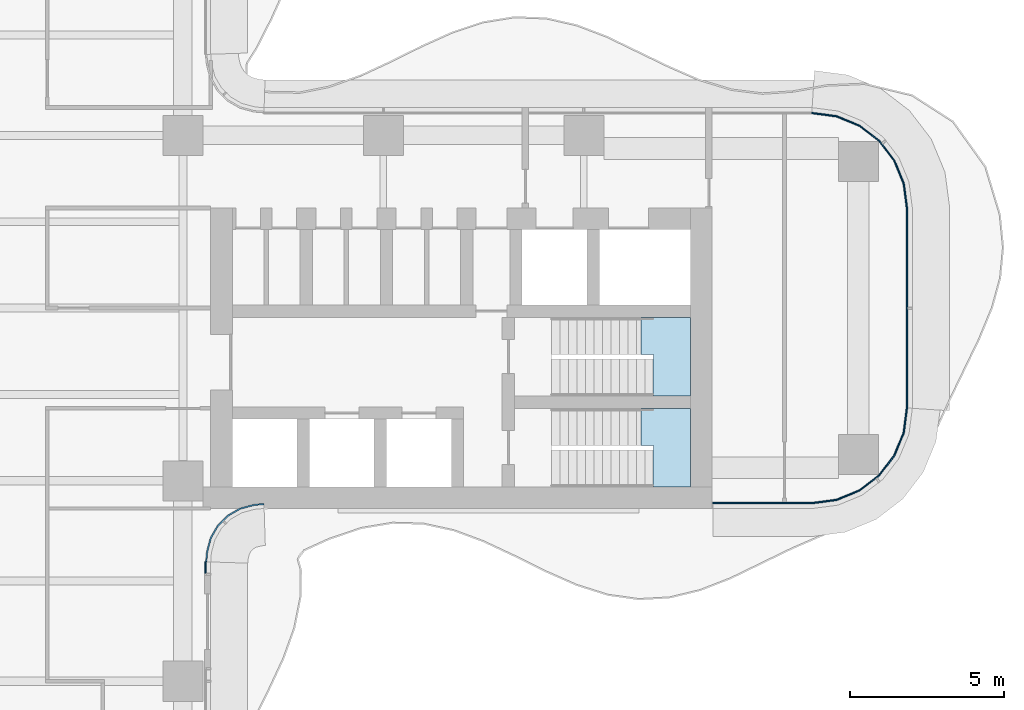
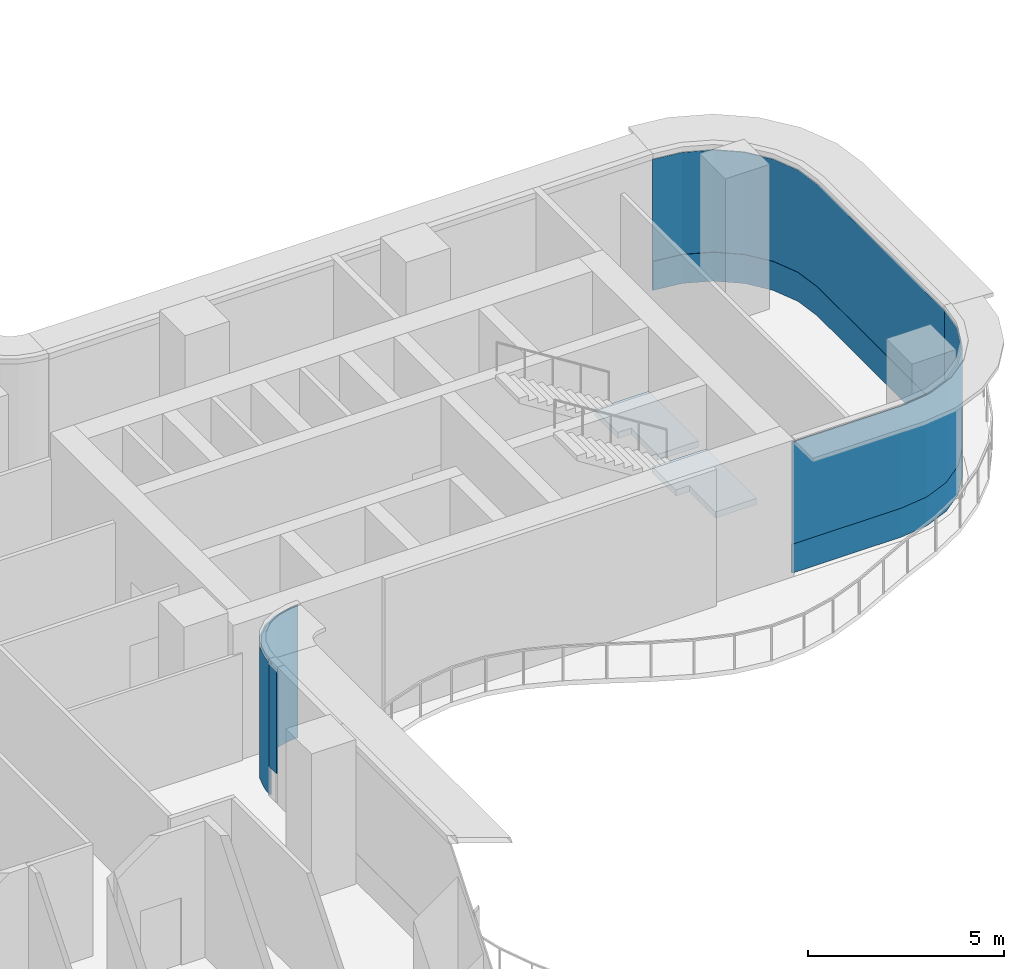
# One storey, part 15 of 23: 6 plates, 2 slabs, 6 elements without a shape of their own.
"""IFC4 building model written with IfcOpenShell, lengths in metres."""

import ifcopenshell
import ifcopenshell.guid

model = None  # the IFC model being written
_history = None  # IfcOwnerHistory: only IFC2X3 demands one
_inside = {}  # id of a spatial element -> (the spatial element, [elements in it])
_under = {}  # id of a project, library or spatial element -> (it, [spatial elements below it])
_declared = {}  # id of a project -> (the project, [libraries it declares])
_typed = {}  # id of a type object -> (the type object, [elements of that type])
_made_of = {}  # id of a material, layer set ... -> (it, [elements and type objects made of it])


def new_model(schema):
    """Start an empty IFC model of exactly this schema.

    Asked for "IFC4X3", IfcOpenShell would pick the latest addendum, in which some entities
    have other attributes; the version numbers below select the first issue.
    IFC2X3 requires an IfcOwnerHistory on every rooted entity: one is made here for all.
    """
    global model, _history
    if schema == "IFC4X3":
        model = ifcopenshell.file(schema_version=(4, 3, 0, 0))
    else:
        model = ifcopenshell.file(schema=schema)
    _inside.clear()
    _under.clear()
    _declared.clear()
    _typed.clear()
    _made_of.clear()
    _history = None
    if model.schema == "IFC2X3":
        org = make("IfcOrganization", Name="unknown")
        user = make(
            "IfcPersonAndOrganization",
            ThePerson=make("IfcPerson", FamilyName="unknown"),
            TheOrganization=org,
        )
        app = make(
            "IfcApplication",
            ApplicationDeveloper=org,
            Version="unknown",
            ApplicationFullName="unknown",
            ApplicationIdentifier="unknown",
        )
        _history = make(
            "IfcOwnerHistory",
            OwningUser=user,
            OwningApplication=app,
            ChangeAction="ADDED",
            CreationDate=0,
        )
    return model


def make(cls, **values):
    """One entity of the class cls with the attributes given. An attribute that is None is left unset."""
    return model.create_entity(
        cls, **{name: value for name, value in values.items() if value is not None}
    )


def rooted(cls, **values):
    """An entity with a GlobalId (a new one), such as an element, a storey or a relation."""
    return make(cls, GlobalId=ifcopenshell.guid.new(), OwnerHistory=_history, **values)


def si_unit(unit_type, name, prefix=None):
    """IfcSIUnit, for example si_unit("LENGTHUNIT", "METRE", prefix="MILLI")."""
    return make("IfcSIUnit", UnitType=unit_type, Prefix=prefix, Name=name)


def assignment(units):
    """IfcUnitAssignment: the units of a project."""
    return None if units is None else make("IfcUnitAssignment", Units=units)


def point(xyz):
    """IfcCartesianPoint."""
    return None if xyz is None else make("IfcCartesianPoint", Coordinates=xyz)


def direction(xyz):
    """IfcDirection."""
    return None if xyz is None else make("IfcDirection", DirectionRatios=xyz)


def frame(location, z_axis=None, x_axis=None):
    """IfcAxis2Placement3D, a coordinate frame: its origin and axes. An axis left out is left unset."""
    return make(
        "IfcAxis2Placement3D",
        Location=point(location),
        Axis=direction(z_axis),
        RefDirection=direction(x_axis),
    )


def origin():
    """The frame at (0, 0, 0) with its axes left unset."""
    return frame((0.0, 0.0, 0.0))


def place(relative_to, where):
    """IfcLocalPlacement: puts the frame where relative to a parent placement (None: the world)."""
    return make(
        "IfcLocalPlacement", PlacementRelTo=relative_to, RelativePlacement=where
    )


def context(
    kind, dimensions, precision=None, world=None, true_north=None, identifier=None
):
    """IfcGeometricRepresentationContext, for example the 3D "Model" context."""
    return make(
        "IfcGeometricRepresentationContext",
        ContextIdentifier=identifier,
        ContextType=kind,
        CoordinateSpaceDimension=dimensions,
        Precision=precision,
        WorldCoordinateSystem=world,
        TrueNorth=true_north,
    )


def subcontext(parent, identifier, kind, view, scale=None):
    """IfcGeometricRepresentationSubContext, for example "Body" below "Model"."""
    return make(
        "IfcGeometricRepresentationSubContext",
        ContextIdentifier=identifier,
        ContextType=kind,
        ParentContext=parent,
        TargetScale=scale,
        TargetView=view,
    )


def project(units=None, contexts=None):
    """IfcProject with its units and contexts."""
    return rooted(
        "IfcProject",
        Name="project",
        RepresentationContexts=contexts,
        UnitsInContext=assignment(units),
    )


def spatial(cls, under=None, at=None, **own):
    """A site, building, storey or space (cls), placed at a placement, below another one or the project."""
    s = rooted(cls, ObjectPlacement=at, **own)
    if under is not None:
        _under.setdefault(under.id(), (under, []))[1].append(s)
    return s


def polyline(points):
    """IfcPolyline through the points."""
    return make("IfcPolyline", Points=[point(p) for p in points])


def outline(outer, holes=None, kind="AREA"):
    """IfcArbitraryClosedProfileDef: a profile drawn as a closed curve; with holes, ...WithVoids."""
    if holes is None:
        return make("IfcArbitraryClosedProfileDef", ProfileType=kind, OuterCurve=outer)
    return make(
        "IfcArbitraryProfileDefWithVoids",
        ProfileType=kind,
        OuterCurve=outer,
        InnerCurves=holes,
    )


def extrude(swept, where, along, depth):
    """IfcExtrudedAreaSolid: the profile swept, set in the frame where, extruded along a direction by depth."""
    return make(
        "IfcExtrudedAreaSolid",
        SweptArea=swept,
        Position=where,
        ExtrudedDirection=direction(along),
        Depth=depth,
    )


def shape(context_of_items, identifier, shape_type, items):
    """IfcShapeRepresentation: the items that make up one representation, for example the "Body"."""
    return make(
        "IfcShapeRepresentation",
        ContextOfItems=context_of_items,
        RepresentationIdentifier=identifier,
        RepresentationType=shape_type,
        Items=items,
    )


def source(mapping_origin, context_of_items, identifier, shape_type, items):
    """IfcRepresentationMap: a shape defined once, which mapped items show again and again."""
    return make(
        "IfcRepresentationMap",
        MappingOrigin=mapping_origin,
        MappedRepresentation=shape(context_of_items, identifier, shape_type, items),
    )


def transform(
    local_origin,
    x_axis=None,
    y_axis=None,
    z_axis=None,
    scale=None,
    scale2=None,
    scale3=None,
    uniform=True,
):
    """IfcCartesianTransformationOperator3D, or its non-uniform kind. x_axis, y_axis, z_axis: its Axis1, 2, 3."""
    if uniform:
        return make(
            "IfcCartesianTransformationOperator3D",
            Axis1=direction(x_axis),
            Axis2=direction(y_axis),
            LocalOrigin=point(local_origin),
            Scale=scale,
            Axis3=direction(z_axis),
        )
    return make(
        "IfcCartesianTransformationOperator3DnonUniform",
        Axis1=direction(x_axis),
        Axis2=direction(y_axis),
        LocalOrigin=point(local_origin),
        Scale=scale,
        Axis3=direction(z_axis),
        Scale2=scale2,
        Scale3=scale3,
    )


def mapped(mapping_source, mapping_target):
    """IfcMappedItem: shows the shape of a source again, moved by a transform."""
    return make(
        "IfcMappedItem", MappingSource=mapping_source, MappingTarget=mapping_target
    )


def material(Name=None, Category=None):
    """IfcMaterial."""
    return make("IfcMaterial", Name=Name, Category=Category)


def layer(
    of_material, thickness, ventilated=None, Name=None, Category=None, Priority=None
):
    """IfcMaterialLayer: one layer of a wall or slab, of a material (None: an air gap)."""
    return make(
        "IfcMaterialLayer",
        Material=of_material,
        LayerThickness=thickness,
        IsVentilated=ventilated,
        Name=Name,
        Category=Category,
        Priority=Priority,
    )


def layer_set(layers, Name=None):
    """IfcMaterialLayerSet."""
    return make("IfcMaterialLayerSet", MaterialLayers=layers, LayerSetName=Name)


def made_of(thing, what):
    """Note that an element or type object is made of a material, layer set ...; save() writes the relation."""
    if what is not None:
        _made_of.setdefault(what.id(), (what, []))[1].append(thing)
    return thing


def type_object(cls, material=None, **own):
    """A type object (cls), such as IfcWallType, which elements share."""
    return made_of(rooted(cls, **own), material)


def element(
    cls,
    number,
    at=None,
    inside=None,
    cuts=None,
    type_object=None,
    material=None,
    context=None,
    identifier="Body",
    shape_type=None,
    held_by="IfcProductDefinitionShape",
    body=None,
    shapes=None,
    **own,
):
    """One element of the class cls, such as IfcWall. Its Tag is "e" and its number.

    at: its placement. inside: the storey or other place that contains it. cuts: it is an
    opening in that element (IfcRelVoidsElement). A single representation is given by context,
    identifier, shape_type and body (its items); several are given by shapes. held_by: the class
    of the entity that holds the representations. save() writes the other relations.
    """
    e = rooted(cls, Tag="e%d" % number, ObjectPlacement=at, **own)
    if body is not None:
        shapes = [shape(context, identifier, shape_type, body)]
    if shapes is not None:
        e.Representation = make(held_by, Representations=shapes)
    if inside is not None:
        _inside.setdefault(inside.id(), (inside, []))[1].append(e)
    if cuts is not None:
        rooted(
            "IfcRelVoidsElement", RelatingBuildingElement=cuts, RelatedOpeningElement=e
        )
    if type_object is not None:
        _typed.setdefault(type_object.id(), (type_object, []))[1].append(e)
    return made_of(e, material)


def aggregate(whole, parts):
    """IfcRelAggregates: a whole, such as a stair, and the parts it consists of."""
    return rooted("IfcRelAggregates", RelatingObject=whole, RelatedObjects=parts)


def save(model, path):
    """Write the relations noted so far, then the file.

    IfcRelAggregates (storeys below a building ...), IfcRelContainedInSpatialStructure (elements
    in a storey), IfcRelDefinesByType, IfcRelAssociatesMaterial and IfcRelDeclares: one each for
    every whole, place, type object, material and project.
    """
    for whole, parts in _under.values():
        aggregate(whole, parts)
    for where, things in _inside.values():
        rooted(
            "IfcRelContainedInSpatialStructure",
            RelatedElements=things,
            RelatingStructure=where,
        )
    for kind, things in _typed.values():
        rooted("IfcRelDefinesByType", RelatedObjects=things, RelatingType=kind)
    for what, things in _made_of.values():
        rooted("IfcRelAssociatesMaterial", RelatedObjects=things, RelatingMaterial=what)
    for by, libraries in _declared.values():
        rooted("IfcRelDeclares", RelatingContext=by, RelatedDefinitions=libraries)
    model.write(path)


model = new_model("IFC4")

# Units and contexts
model_context = context("Model", 3, precision=1e-05, world=origin(), true_north=direction((0.0, 1.0)))
body_context = subcontext(model_context, "Body", "Model", "MODEL_VIEW")
ifc_project = project(units=[si_unit("LENGTHUNIT", "METRE"), si_unit("AREAUNIT", "SQUARE_METRE"), si_unit("VOLUMEUNIT", "CUBIC_METRE"), si_unit("PLANEANGLEUNIT", "RADIAN"), si_unit("MASSUNIT", "GRAM", prefix="KILO")], contexts=[model_context])

# Site, building, storey
site_placement = place(None, origin())
site = spatial("IfcSite", under=ifc_project, at=site_placement, CompositionType="ELEMENT")
building_placement = place(site_placement, origin())
building = spatial("IfcBuilding", under=site, at=building_placement, Name="Trellis Farm Tower", CompositionType="ELEMENT")
storey_placement = place(building_placement, frame((0.0, 0.0, 111.0)))
storey = spatial("IfcBuildingStorey", under=building, at=storey_placement, Name="L23", CompositionType="ELEMENT", Elevation=111.0)

# Stair, slab
ifc_material_1 = material(Name="Concrete C50/60", Category="concrete")
stair_type = type_object("IfcStairType", Name="CORE EXIT STAIR 26 RISERS 173 MM", PredefinedType="HALF_TURN_STAIR", material=ifc_material_1)
placement_1 = place(storey_placement, origin())
stair_1 = element("IfcStair", 1, at=placement_1, inside=storey, type_object=stair_type, Name="Exit stair E1", PredefinedType="HALF_TURN_STAIR")
ifc_layer_1 = layer(ifc_material_1, 0.18994140625)
ifc_layer_set_1 = layer_set([ifc_layer_1], Name="CORE STAIR LANDING 190 CONCRETE C50/60")
slab_type = type_object("IfcSlabType", Name="CORE STAIR LANDING 190 CONCRETE C50/60", PredefinedType="LANDING", material=ifc_layer_set_1)
shared_shape_1 = source(origin(), body_context, "Body", "SweptSolid", [
    extrude(outline(polyline([(20.840087890625, -5.800048828125), (20.840087890625, -4.60009765625), (20.85009765625, -4.60009765625), (20.85009765625, -4.449951171875), (20.453125, -4.449951171875), (20.453125, -3.25), (20.85009765625, -3.25), (22.050048828125, -3.25), (22.050048828125, -5.800048828125), (20.85009765625, -5.800048828125), (20.840087890625, -5.800048828125)])), origin(), (0.0, 0.0, 1.0), 0.18994140625),
])
placement_2 = place(storey_placement, frame((0.0, 0.0, 2.06005859375)))
slab_1 = element("IfcSlab", 2, at=placement_2, type_object=slab_type, Name="STE1 landing 1", PredefinedType="LANDING", context=body_context, shape_type="MappedRepresentation", body=[
    mapped(shared_shape_1, transform((0.0, 0.0, 0.0))),
])
aggregate(stair_1, [slab_1])

stair_2 = element("IfcStair", 3, at=placement_1, inside=storey, type_object=stair_type, Name="Exit stair E2", PredefinedType="HALF_TURN_STAIR")
shared_shape_2 = source(origin(), body_context, "Body", "SweptSolid", [
    extrude(outline(polyline([(20.840087890625, -2.85009765625), (20.840087890625, -1.64990234375), (20.85009765625, -1.64990234375), (20.85009765625, -1.5), (20.453125, -1.5), (20.453125, -0.300048828125), (20.85009765625, -0.300048828125), (22.050048828125, -0.300048828125), (22.050048828125, -2.85009765625), (20.85009765625, -2.85009765625), (20.840087890625, -2.85009765625)])), origin(), (0.0, 0.0, 1.0), 0.18994140625),
])
slab_2 = element("IfcSlab", 4, at=placement_2, type_object=slab_type, Name="STE2 landing 1", PredefinedType="LANDING", context=body_context, shape_type="MappedRepresentation", body=[
    mapped(shared_shape_2, transform((0.0, 0.0, 0.0))),
])
aggregate(stair_2, [slab_2])

# Curtain wall, plate
ifc_material_2 = material(Name="Aluminium and glass curtain wall", Category="aluminium")
ifc_layer_2 = layer(ifc_material_2, 0.166015625)
ifc_layer_set_2 = layer_set([ifc_layer_2], Name="WINTER GARDEN CURTAIN WALL CW3")
curtain_wall_type_1 = type_object("IfcCurtainWallType", Name="WINTER GARDEN CURTAIN WALL CW3", PredefinedType="NOTDEFINED", material=ifc_layer_set_2)
curtain_wall_1 = element("IfcCurtainWall", 5, at=placement_1, inside=storey, type_object=curtain_wall_type_1, Name="CW3 002", PredefinedType="NOTDEFINED")
ifc_material_3 = material(Name="Clear insulated glass", Category="glass")
ifc_layer_3 = layer(ifc_material_3, 0.0458984375)
ifc_layer_set_3 = layer_set([ifc_layer_3], Name="CW3 GLASS PANEL 46")
plate_type_1 = type_object("IfcPlateType", Name="CW3 GLASS PANEL 46", PredefinedType="CURTAIN_PANEL", material=ifc_layer_set_3)
shared_shape_3 = source(origin(), body_context, "Body", "SweptSolid", [
    extrude(outline(polyline([(6.3798828125, -8.2275390625), (6.394287109375, -8.0078125), (6.40966796875, -7.89208984375), (6.52490234375, -7.462158203125), (6.7509765625, -7.070556640625), (7.070556640625, -6.7509765625), (7.462158203125, -6.52490234375), (7.89208984375, -6.40966796875), (8.0078125, -6.394287109375), (8.2275390625, -6.3798828125), (8.22607421875, -6.333984375), (8.003173828125, -6.3486328125), (7.883056640625, -6.364501953125), (7.4443359375, -6.48193359375), (7.04248046875, -6.714111328125), (6.714111328125, -7.04248046875), (6.48193359375, -7.4443359375), (6.364501953125, -7.883056640625), (6.3486328125, -8.003173828125), (6.333984375, -8.22607421875), (6.3798828125, -8.2275390625)])), origin(), (0.0, 0.0, 1.0), 4.10009765625),
])
plate_1 = element("IfcPlate", 6, at=placement_1, type_object=plate_type_1, Name="PL3 002", PredefinedType="CURTAIN_PANEL", context=body_context, shape_type="MappedRepresentation", body=[
    mapped(shared_shape_3, transform((0.0, 0.0, 0.0))),
])
aggregate(curtain_wall_1, [plate_1])

# Curtain wall, plates
ifc_layer_4 = layer(ifc_material_2, 0.18994140625)
ifc_layer_set_4 = layer_set([ifc_layer_4], Name="RIBBON CURTAIN WALL CW1")
curtain_wall_type_2 = type_object("IfcCurtainWallType", Name="RIBBON CURTAIN WALL CW1", PredefinedType="NOTDEFINED", material=ifc_layer_set_4)
curtain_wall_2 = element("IfcCurtainWall", 7, at=placement_1, inside=storey, type_object=curtain_wall_type_2, Name="CW1 006", PredefinedType="NOTDEFINED")
ifc_layer_5 = layer(ifc_material_3, 0.0400390625)
ifc_layer_set_5 = layer_set([ifc_layer_5], Name="CW1 GLASS PANEL 40")
plate_type_2 = type_object("IfcPlateType", Name="CW1 GLASS PANEL 40", PredefinedType="CURTAIN_PANEL", material=ifc_layer_set_5)
shared_shape_4 = source(origin(), body_context, "Body", "SweptSolid", [
    extrude(outline(polyline([(22.780029296875, -6.35009765625), (25.990234375, -6.35009765625), (26.802001953125, -6.2431640625), (27.54931640625, -5.93359375), (28.191162109375, -5.441162109375), (28.68359375, -4.79931640625), (28.9931640625, -4.052001953125), (29.10009765625, -3.240234375), (29.06005859375, -3.237548828125), (28.9541015625, -4.04150390625), (28.648681640625, -4.779296875), (28.16259765625, -5.41259765625), (27.529296875, -5.898681640625), (26.79150390625, -6.2041015625), (25.987548828125, -6.31005859375), (22.780029296875, -6.31005859375), (22.780029296875, -6.35009765625)])), origin(), (0.0, 0.0, 1.0), 3.170166015625),
])
placement_3 = place(storey_placement, frame((0.0, 0.0, 0.89990234375)))
plate_2 = element("IfcPlate", 8, at=placement_3, type_object=plate_type_2, Name="PL1 006", PredefinedType="CURTAIN_PANEL", context=body_context, shape_type="MappedRepresentation", body=[
    mapped(shared_shape_4, transform((0.0, 0.0, 0.0))),
])
ifc_material_4 = material(Name="Sandstone faced insulated panel", Category="masonry")
ifc_layer_6 = layer(ifc_material_4, 0.050048828125)
ifc_layer_set_6 = layer_set([ifc_layer_6], Name="CW1 STONE SPANDREL PANEL 50")
plate_type_3 = type_object("IfcPlateType", Name="CW1 STONE SPANDREL PANEL 50", PredefinedType="CURTAIN_PANEL", material=ifc_layer_set_6)
shared_shape_5 = source(origin(), body_context, "Body", "SweptSolid", [
    extrude(outline(polyline([(22.780029296875, -6.35009765625), (25.990234375, -6.35009765625), (26.802001953125, -6.2431640625), (27.54931640625, -5.93359375), (28.191162109375, -5.441162109375), (28.68359375, -4.79931640625), (28.9931640625, -4.052001953125), (29.10009765625, -3.240234375), (29.050048828125, -3.23681640625), (28.9443359375, -4.0390625), (28.639892578125, -4.774169921875), (28.155517578125, -5.405517578125), (27.524169921875, -5.889892578125), (26.7890625, -6.1943359375), (25.98681640625, -6.300048828125), (22.780029296875, -6.300048828125), (22.780029296875, -6.35009765625)])), origin(), (0.0, 0.0, 1.0), 0.89990234375),
])
plate_3 = element("IfcPlate", 9, at=placement_1, type_object=plate_type_3, Name="PS1 006", PredefinedType="CURTAIN_PANEL", context=body_context, shape_type="MappedRepresentation", body=[
    mapped(shared_shape_5, transform((0.0, 0.0, 0.0))),
])
aggregate(curtain_wall_2, [plate_2, plate_3])

curtain_wall_3 = element("IfcCurtainWall", 10, at=placement_1, inside=storey, type_object=curtain_wall_type_2, Name="CW1 007", PredefinedType="NOTDEFINED")
shared_shape_6 = source(origin(), body_context, "Body", "SweptSolid", [
    extrude(outline(polyline([(29.10009765625, -3.240234375), (29.10009765625, 3.240234375), (28.9931640625, 4.052001953125), (28.68359375, 4.79931640625), (28.191162109375, 5.441162109375), (27.54931640625, 5.93359375), (26.802001953125, 6.2431640625), (25.990234375, 6.35009765625), (25.987548828125, 6.31005859375), (26.79150390625, 6.2041015625), (27.529296875, 5.898681640625), (28.16259765625, 5.41259765625), (28.648681640625, 4.779296875), (28.9541015625, 4.04150390625), (29.06005859375, 3.237548828125), (29.06005859375, -3.237548828125), (29.10009765625, -3.240234375)])), origin(), (0.0, 0.0, 1.0), 3.170166015625),
])
plate_4 = element("IfcPlate", 11, at=placement_3, type_object=plate_type_2, Name="PL1 007", PredefinedType="CURTAIN_PANEL", context=body_context, shape_type="MappedRepresentation", body=[
    mapped(shared_shape_6, transform((0.0, 0.0, 0.0))),
])
shared_shape_7 = source(origin(), body_context, "Body", "SweptSolid", [
    extrude(outline(polyline([(29.10009765625, -3.240234375), (29.10009765625, 3.240234375), (28.9931640625, 4.052001953125), (28.68359375, 4.79931640625), (28.191162109375, 5.441162109375), (27.54931640625, 5.93359375), (26.802001953125, 6.2431640625), (25.990234375, 6.35009765625), (25.98681640625, 6.300048828125), (26.7890625, 6.1943359375), (27.524169921875, 5.889892578125), (28.155517578125, 5.405517578125), (28.639892578125, 4.774169921875), (28.9443359375, 4.0390625), (29.050048828125, 3.23681640625), (29.050048828125, -3.23681640625), (29.10009765625, -3.240234375)])), origin(), (0.0, 0.0, 1.0), 0.89990234375),
])
plate_5 = element("IfcPlate", 12, at=placement_1, type_object=plate_type_3, Name="PS1 007", PredefinedType="CURTAIN_PANEL", context=body_context, shape_type="MappedRepresentation", body=[
    mapped(shared_shape_7, transform((0.0, 0.0, 0.0))),
])
aggregate(curtain_wall_3, [plate_4, plate_5])

# Curtain wall, plate
curtain_wall_4 = element("IfcCurtainWall", 13, at=placement_1, inside=storey, type_object=curtain_wall_type_2, Name="CW1 005", PredefinedType="NOTDEFINED")
shared_shape_8 = source(origin(), body_context, "Body", "SweptSolid", [
    extrude(outline(polyline([(6.35009765625, -8.605712890625), (6.35009765625, -8.2265625), (6.31005859375, -8.22509765625), (6.31005859375, -8.605712890625), (6.35009765625, -8.605712890625)])), origin(), (0.0, 0.0, 1.0), 3.170166015625),
])
plate_6 = element("IfcPlate", 14, at=placement_3, type_object=plate_type_2, Name="PL1 005", PredefinedType="CURTAIN_PANEL", context=body_context, shape_type="MappedRepresentation", body=[
    mapped(shared_shape_8, transform((0.0, 0.0, 0.0))),
])
aggregate(curtain_wall_4, [plate_6])

save(model, "model.ifc")
